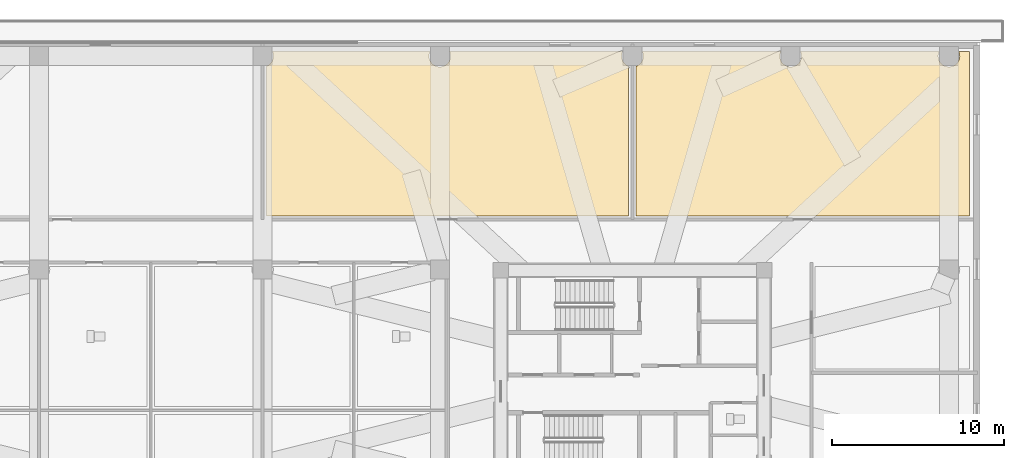
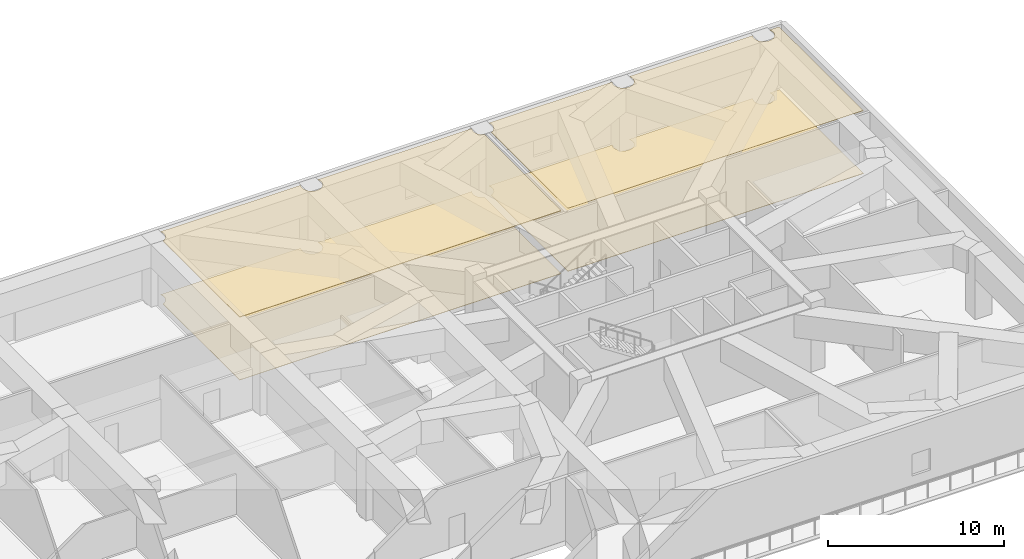
# One storey, part 20 of 21: 4 coverings.
"""IFC4 building model written with IfcOpenShell, lengths in metres."""

from ifc_helpers import new_model, si_unit, direction, frame, origin, place, context, subcontext, project, spatial, polyline, outline, extrude, material, layer, layer_set, type_object, element, save


model = new_model("IFC4")

# Units and contexts
model_context = context("Model", 3, precision=1e-05, world=origin(), true_north=direction((0.0, 1.0)))
body_context = subcontext(model_context, "Body", "Model", "MODEL_VIEW")
ifc_project = project(units=[si_unit("LENGTHUNIT", "METRE"), si_unit("AREAUNIT", "SQUARE_METRE"), si_unit("VOLUMEUNIT", "CUBIC_METRE"), si_unit("PLANEANGLEUNIT", "RADIAN"), si_unit("MASSUNIT", "GRAM", prefix="KILO")], contexts=[model_context])

# Site, building, storey
site_placement = place(None, origin())
site = spatial("IfcSite", under=ifc_project, at=site_placement, CompositionType="ELEMENT")
building_placement = place(site_placement, origin())
building = spatial("IfcBuilding", under=site, at=building_placement, Name="Norrkilde Senior Care Towers", CompositionType="ELEMENT")
storey_placement = place(building_placement, frame((0.0, 0.0, 16.800048828125)))
storey = spatial("IfcBuildingStorey", under=building, at=storey_placement, Name="L04", CompositionType="ELEMENT", Elevation=16.800048828125)

# Coverings
ifc_material_1 = material(Name="Nordic Ash Timber", Category="wood")
ifc_layer_1 = layer(ifc_material_1, 0.044921875)
ifc_layer_set_1 = layer_set([ifc_layer_1], Name="Nordic Ash Timber")
covering_type_1 = type_object("IfcCoveringType", Name="Acoustic Ash Timber Slatted Ceiling 45", PredefinedType="CEILING", material=ifc_layer_set_1)
covering_1_placement = place(storey_placement, frame((0.0, 0.0, 4.3349609375)))
element("IfcCovering", 1, at=covering_1_placement, inside=storey, type_object=covering_type_1, Name="L04 Suspended Ceiling 0115", PredefinedType="CEILING", context=body_context, shape_type="SweptSolid", body=[
    extrude(outline(polyline([(6.719970703125, 17.81494140625), (6.81494140625, 17.8544921875), (6.945556640625, 17.95458984375), (7.045654296875, 18.0849609375), (7.108642578125, 18.237060546875), (7.1298828125, 18.39990234375), (7.108642578125, 18.56298828125), (7.06005859375, 18.679931640625), (16.239990234375, 18.679931640625), (16.19140625, 18.56298828125), (16.169921875, 18.39990234375), (16.19140625, 18.237060546875), (16.25439453125, 18.0849609375), (16.3544921875, 17.95458984375), (16.485107421875, 17.8544921875), (16.636962890625, 17.79150390625), (16.800048828125, 17.77001953125), (16.963134765625, 17.79150390625), (17.114990234375, 17.8544921875), (17.245361328125, 17.95458984375), (17.345703125, 18.0849609375), (17.408447265625, 18.237060546875), (17.429931640625, 18.39990234375), (17.408447265625, 18.56298828125), (17.360107421875, 18.679931640625), (27.43994140625, 18.679931640625), (27.391357421875, 18.56298828125), (27.3701171875, 18.39990234375), (27.391357421875, 18.237060546875), (27.454345703125, 18.0849609375), (27.554443359375, 17.95458984375), (27.68505859375, 17.8544921875), (27.780029296875, 17.81494140625), (27.780029296875, 9.1201171875), (6.719970703125, 9.1201171875), (6.719970703125, 17.81494140625)])), origin(), (0.0, 0.0, 1.0), 0.044921875),
])
ifc_material_2 = material(Name="Gypsum Acoustic Board")
ifc_layer_2 = layer(ifc_material_2, 0.030029296875)
ifc_layer_set_2 = layer_set([ifc_layer_2], Name="Gypsum Acoustic Board")
covering_type_2 = type_object("IfcCoveringType", Name="Medical Cleanable Gypsum Ceiling 30", PredefinedType="CEILING", material=ifc_layer_set_2)
covering_2_placement = place(storey_placement, frame((0.0, 0.0, 4.349853515625)))
element("IfcCovering", 2, at=covering_2_placement, inside=storey, type_object=covering_type_2, Name="L04 Suspended Ceiling 0116", PredefinedType="CEILING", context=body_context, shape_type="SweptSolid", body=[
    extrude(outline(polyline([(28.219970703125, 17.81494140625), (28.31494140625, 17.8544921875), (28.445556640625, 17.95458984375), (28.545654296875, 18.0849609375), (28.608642578125, 18.237060546875), (28.6298828125, 18.39990234375), (28.608642578125, 18.56298828125), (28.56005859375, 18.679931640625), (36.639892578125, 18.679931640625), (36.591552734375, 18.56298828125), (36.570068359375, 18.39990234375), (36.591552734375, 18.237060546875), (36.654296875, 18.0849609375), (36.754638671875, 17.95458984375), (36.885009765625, 17.8544921875), (37.036865234375, 17.79150390625), (37.199951171875, 17.77001953125), (37.363037109375, 17.79150390625), (37.514892578125, 17.8544921875), (37.6455078125, 17.95458984375), (37.74560546875, 18.0849609375), (37.80859375, 18.237060546875), (37.830078125, 18.39990234375), (37.80859375, 18.56298828125), (37.760009765625, 18.679931640625), (45.83984375, 18.679931640625), (45.79150390625, 18.56298828125), (45.77001953125, 18.39990234375), (45.79150390625, 18.237060546875), (45.8544921875, 18.0849609375), (45.95458984375, 17.95458984375), (46.0849609375, 17.8544921875), (46.237060546875, 17.79150390625), (46.39990234375, 17.77001953125), (46.56298828125, 17.79150390625), (46.715087890625, 17.8544921875), (46.845458984375, 17.95458984375), (46.945556640625, 18.0849609375), (47.008544921875, 18.237060546875), (47.030029296875, 18.39990234375), (47.008544921875, 18.56298828125), (46.960205078125, 18.679931640625), (47.580078125, 18.679931640625), (47.580078125, 9.1201171875), (28.219970703125, 9.1201171875), (28.219970703125, 17.81494140625)])), origin(), (0.0, 0.0, 1.0), 0.030029296875),
])
ifc_material_3 = material(Name="Slip-Resistant Porcelain Stone", Category="masonry")
ifc_layer_3 = layer(ifc_material_3, 0.02490234375)
ifc_layer_set_3 = layer_set([ifc_layer_3], Name="Slip-Resistant Porcelain Stone")
covering_type_3 = type_object("IfcCoveringType", Name="Slip-Resistant Porcelain Flooring 25", PredefinedType="FLOORING", material=ifc_layer_set_3)
covering_3_placement = place(storey_placement, origin())
element("IfcCovering", 3, at=covering_3_placement, inside=storey, type_object=covering_type_3, Name="L04 Floor Finish 0115", PredefinedType="FLOORING", context=body_context, shape_type="SweptSolid", body=[
    extrude(outline(polyline([(6.719970703125, 17.81494140625), (6.81494140625, 17.8544921875), (6.945556640625, 17.95458984375), (7.045654296875, 18.0849609375), (7.108642578125, 18.237060546875), (7.1298828125, 18.39990234375), (7.108642578125, 18.56298828125), (7.06005859375, 18.679931640625), (16.239990234375, 18.679931640625), (16.19140625, 18.56298828125), (16.169921875, 18.39990234375), (16.19140625, 18.237060546875), (16.25439453125, 18.0849609375), (16.3544921875, 17.95458984375), (16.485107421875, 17.8544921875), (16.636962890625, 17.79150390625), (16.800048828125, 17.77001953125), (16.963134765625, 17.79150390625), (17.114990234375, 17.8544921875), (17.245361328125, 17.95458984375), (17.345703125, 18.0849609375), (17.408447265625, 18.237060546875), (17.429931640625, 18.39990234375), (17.408447265625, 18.56298828125), (17.360107421875, 18.679931640625), (27.43994140625, 18.679931640625), (27.391357421875, 18.56298828125), (27.3701171875, 18.39990234375), (27.391357421875, 18.237060546875), (27.454345703125, 18.0849609375), (27.554443359375, 17.95458984375), (27.68505859375, 17.8544921875), (27.780029296875, 17.81494140625), (27.780029296875, 9.1201171875), (6.719970703125, 9.1201171875), (6.719970703125, 17.81494140625)])), origin(), (0.0, 0.0, 1.0), 0.02490234375),
])
covering_4_placement = place(storey_placement, origin())
element("IfcCovering", 4, at=covering_4_placement, inside=storey, type_object=covering_type_3, Name="L04 Floor Finish 0116", PredefinedType="FLOORING", context=body_context, shape_type="SweptSolid", body=[
    extrude(outline(polyline([(28.219970703125, 17.81494140625), (28.31494140625, 17.8544921875), (28.445556640625, 17.95458984375), (28.545654296875, 18.0849609375), (28.608642578125, 18.237060546875), (28.6298828125, 18.39990234375), (28.608642578125, 18.56298828125), (28.56005859375, 18.679931640625), (36.639892578125, 18.679931640625), (36.591552734375, 18.56298828125), (36.570068359375, 18.39990234375), (36.591552734375, 18.237060546875), (36.654296875, 18.0849609375), (36.754638671875, 17.95458984375), (36.885009765625, 17.8544921875), (37.036865234375, 17.79150390625), (37.199951171875, 17.77001953125), (37.363037109375, 17.79150390625), (37.514892578125, 17.8544921875), (37.6455078125, 17.95458984375), (37.74560546875, 18.0849609375), (37.80859375, 18.237060546875), (37.830078125, 18.39990234375), (37.80859375, 18.56298828125), (37.760009765625, 18.679931640625), (45.83984375, 18.679931640625), (45.79150390625, 18.56298828125), (45.77001953125, 18.39990234375), (45.79150390625, 18.237060546875), (45.8544921875, 18.0849609375), (45.95458984375, 17.95458984375), (46.0849609375, 17.8544921875), (46.237060546875, 17.79150390625), (46.39990234375, 17.77001953125), (46.56298828125, 17.79150390625), (46.715087890625, 17.8544921875), (46.845458984375, 17.95458984375), (46.945556640625, 18.0849609375), (47.008544921875, 18.237060546875), (47.030029296875, 18.39990234375), (47.008544921875, 18.56298828125), (46.960205078125, 18.679931640625), (47.580078125, 18.679931640625), (47.580078125, 9.1201171875), (28.219970703125, 9.1201171875), (28.219970703125, 17.81494140625)])), origin(), (0.0, 0.0, 1.0), 0.02490234375),
])

save(model, "model.ifc")
